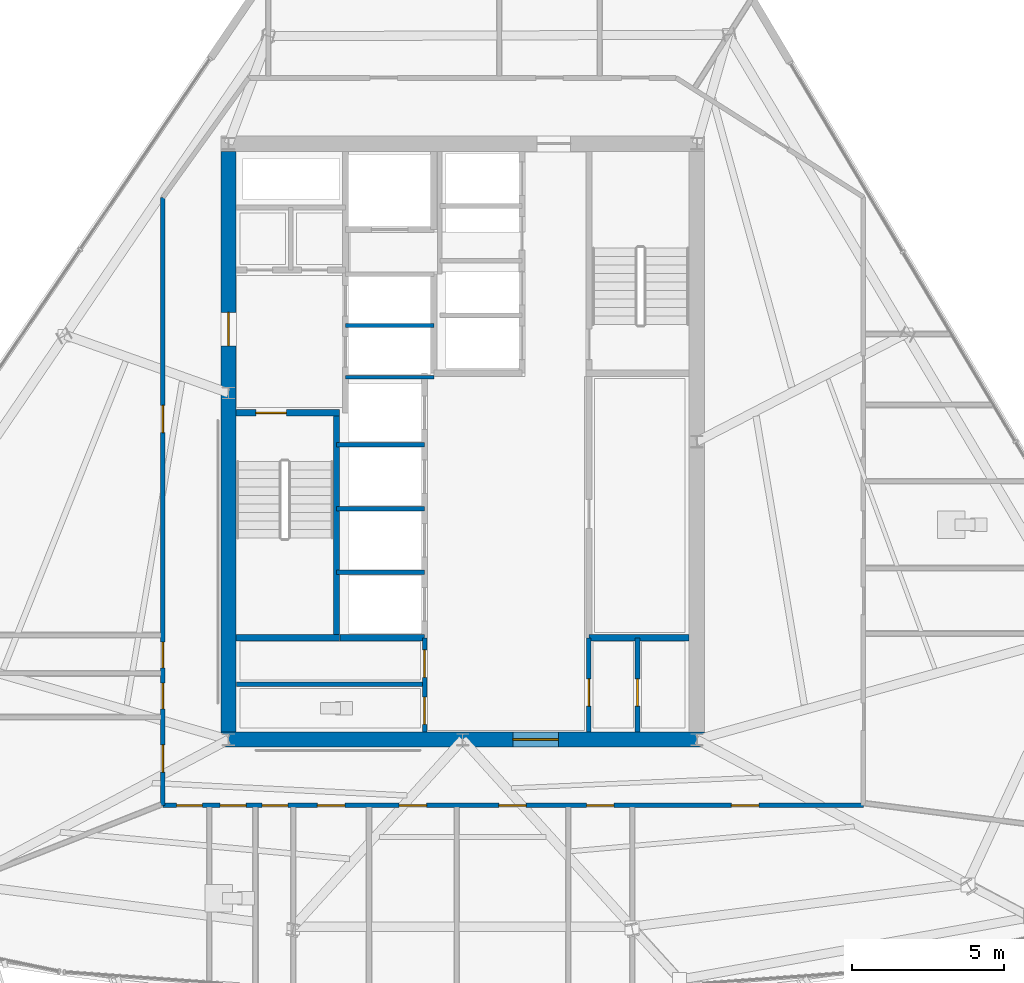
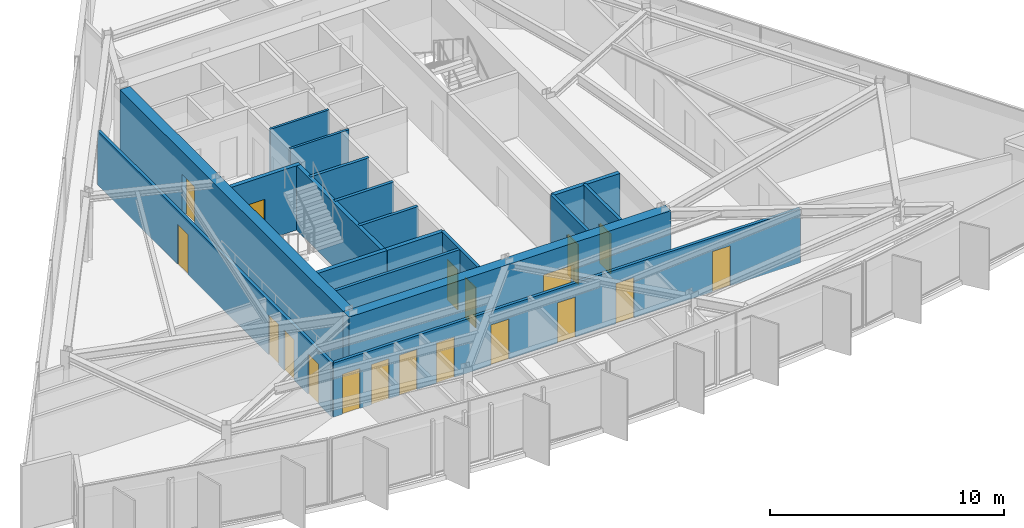
# One storey, part 8 of 15: 19 doors, 18 walls, 19 openings.
"""IFC4 building model written with IfcOpenShell, lengths in metres."""

from ifc_helpers import new_model, si_unit, direction, frame, frame_2d, origin, place, context, subcontext, project, spatial, rectangle, extrude, material, layer, layer_set, type_object, element, fill, save


model = new_model("IFC4")

# Units and contexts
model_context = context("Model", 3, precision=1e-05, world=origin(), true_north=direction((0.0, 1.0)))
body_context = subcontext(model_context, "Body", "Model", "MODEL_VIEW")
ifc_project = project(units=[si_unit("LENGTHUNIT", "METRE"), si_unit("AREAUNIT", "SQUARE_METRE"), si_unit("VOLUMEUNIT", "CUBIC_METRE"), si_unit("PLANEANGLEUNIT", "RADIAN"), si_unit("MASSUNIT", "GRAM", prefix="KILO")], contexts=[model_context])

# Site, building, storey
site_placement = place(None, origin())
site = spatial("IfcSite", under=ifc_project, at=site_placement, CompositionType="ELEMENT")
building_placement = place(site_placement, origin())
building = spatial("IfcBuilding", under=site, at=building_placement, Name="Savorim Split Tower", CompositionType="ELEMENT")
storey_placement = place(building_placement, frame((0.0, 0.0, 212.699951171875)))
storey = spatial("IfcBuildingStorey", under=building, at=storey_placement, Name="L56", CompositionType="ELEMENT", Elevation=212.699951171875)

# Wall, opening, door
ifc_material_1 = material(Name="Concrete C60/75", Category="concrete")
ifc_layer_1 = layer(ifc_material_1, 0.5)
ifc_layer_set_1 = layer_set([ifc_layer_1], Name="WAL-COR-SH500")
wall_type_1 = type_object("IfcWallType", Name="WAL-COR-SH500", PredefinedType="SHEAR", material=ifc_layer_set_1)
wall_1_placement = place(storey_placement, frame((-7.949951171875, -9.39990234375, 0.0), z_axis=(0.0, 0.0, 1.0), x_axis=(1.0, 0.0, 0.0)))
wall_1 = element("IfcWall", 1, at=wall_1_placement, inside=storey, type_object=wall_type_1, Name="L56 Offset Core South Shear Wall", PredefinedType="SHEAR", context=body_context, shape_type="SweptSolid", body=[
    extrude(rectangle(XDim=15.89990234375, YDim=0.5, at=frame_2d((7.949951171875, 0.0))), origin(), (0.0, 0.0, 1.0), 3.35009765625),
])
opening_1_placement = place(wall_1_placement, frame((9.60009765625, 0.0, 0.0)))
opening_1 = element("IfcOpeningElement", 2, at=opening_1_placement, cuts=wall_1, Name="Opening DI-02", PredefinedType="OPENING", context=body_context, shape_type="SweptSolid", body=[
    extrude(rectangle(XDim=1.5, YDim=2.199951171875, at=frame_2d((0.75, 1.10009765625))), frame((0.0, 0.260009765625, 0.0), z_axis=(0.0, -1.0, 0.0), x_axis=(1.0, 0.0, 0.0)), (0.0, 0.0, 1.0), 0.52001953125),
])
ifc_material_2 = material(Name="Timber Fire Door Leaf", Category="wood")
door_type_1 = type_object("IfcDoorType", Name="DOR-DBL-1500", OperationType="NOTDEFINED", PredefinedType="DOOR", material=ifc_material_2)
door_1_placement = place(opening_1_placement, origin())
door_1 = element("IfcDoor", 3, at=door_1_placement, inside=storey, type_object=door_type_1, Name="DOR-L56-COR-LLOB - L56 Lift Lobby Main Rated Door", OperationType="DOUBLE_DOOR_SINGLE_SWING", OverallHeight=2.199951171875, OverallWidth=1.5, PredefinedType="DOOR", context=body_context, shape_type="SweptSolid", body=[
    extrude(rectangle(XDim=1.5, YDim=2.199951171875, at=frame_2d((0.75, 1.10009765625))), frame((0.0, 0.02490234375, 0.0), z_axis=(0.0, -1.0, 0.0), x_axis=(1.0, 0.0, 0.0)), (0.0, 0.0, 1.0), 0.050048828125),
])
fill(opening_1, door_1)

wall_2_placement = place(storey_placement, frame((-7.699951171875, -9.14990234375, 0.0), z_axis=(0.0, 0.0, 1.0), x_axis=(0.0, 1.0, 0.0)))
wall_2 = element("IfcWall", 4, at=wall_2_placement, inside=storey, type_object=wall_type_1, Name="L56 Offset Core West Shear Wall", PredefinedType="SHEAR", context=body_context, shape_type="SweptSolid", body=[
    extrude(rectangle(XDim=19.099853515625, YDim=0.5, at=frame_2d((9.5498046875, 0.0))), origin(), (0.0, 0.0, 1.0), 3.35009765625),
])
opening_2_placement = place(wall_2_placement, frame((12.699951171875, 0.0, 0.0)))
opening_2 = element("IfcOpeningElement", 5, at=opening_2_placement, cuts=wall_2, Name="Opening DI-03", PredefinedType="OPENING", context=body_context, shape_type="SweptSolid", body=[
    extrude(rectangle(XDim=1.10009765625, YDim=2.14990234375, at=frame_2d((0.550048828125, 1.074951171875))), frame((0.0, 0.260009765625, 0.0), z_axis=(0.0, -1.0, 0.0), x_axis=(1.0, 0.0, 0.0)), (0.0, 0.0, 1.0), 0.52001953125),
])
door_type_2 = type_object("IfcDoorType", Name="DOR-FIR-1100", OperationType="NOTDEFINED", PredefinedType="DOOR", material=ifc_material_2)
door_2_placement = place(opening_2_placement, origin())
door_2 = element("IfcDoor", 6, at=door_2_placement, inside=storey, type_object=door_type_2, Name="DOR-L56-COR-FFLOB - L56 Firefighting Lobby Corridor Door", OperationType="SINGLE_SWING_RIGHT", OverallHeight=2.14990234375, OverallWidth=1.10009765625, PredefinedType="DOOR", context=body_context, shape_type="SweptSolid", body=[
    extrude(rectangle(XDim=1.10009765625, YDim=2.14990234375, at=frame_2d((0.550048828125, 1.074951171875))), frame((0.0, 0.02490234375, 0.0), z_axis=(0.0, -1.0, 0.0), x_axis=(1.0, 0.0, 0.0)), (0.0, 0.0, 1.0), 0.050048828125),
])
fill(opening_2, door_2)

ifc_material_3 = material(Name="Concrete C50/60", Category="concrete")
ifc_layer_2 = layer(ifc_material_3, 0.199951171875)
ifc_layer_set_2 = layer_set([ifc_layer_2], Name="WAL-INT-RC200")
wall_type_2 = type_object("IfcWallType", Name="WAL-INT-RC200", PredefinedType="SOLIDWALL", material=ifc_layer_set_2)
wall_3_placement = place(storey_placement, frame((-7.449951171875, 1.35009765625, 0.0), z_axis=(0.0, 0.0, 1.0), x_axis=(1.0, 0.0, 0.0)))
wall_3 = element("IfcWall", 7, at=wall_3_placement, inside=storey, type_object=wall_type_2, Name="L56 Structural Shaft Wall W-L56-CR01", PredefinedType="SOLIDWALL", context=body_context, shape_type="SweptSolid", body=[
    extrude(rectangle(XDim=3.39990234375, YDim=0.199951171875, at=frame_2d((1.699951171875, 0.0))), origin(), (0.0, 0.0, 1.0), 3.35009765625),
])
opening_3_placement = place(wall_3_placement, frame((0.64990234375, 0.0, 0.0)))
opening_3 = element("IfcOpeningElement", 8, at=opening_3_placement, cuts=wall_3, Name="Opening DI-04", PredefinedType="OPENING", context=body_context, shape_type="SweptSolid", body=[
    extrude(rectangle(XDim=1.0, YDim=2.14990234375, at=frame_2d((0.5, 1.074951171875))), frame((0.0, 0.10986328125, 0.0), z_axis=(0.0, -1.0, 0.0), x_axis=(1.0, 0.0, 0.0)), (0.0, 0.0, 1.0), 0.219970703125),
])
door_type_3 = type_object("IfcDoorType", Name="DOR-FIR-1000", OperationType="NOTDEFINED", PredefinedType="DOOR", material=ifc_material_2)
door_3_placement = place(opening_3_placement, origin())
door_3 = element("IfcDoor", 9, at=door_3_placement, inside=storey, type_object=door_type_3, Name="DR-L56-ST1 - L56 Stair ST-1 Enclosure Door", OperationType="SINGLE_SWING_LEFT", OverallHeight=2.14990234375, OverallWidth=1.0, PredefinedType="DOOR", context=body_context, shape_type="SweptSolid", body=[
    extrude(rectangle(XDim=1.0, YDim=2.14990234375, at=frame_2d((0.5, 1.074951171875))), frame((0.0, 0.02490234375, 0.0), z_axis=(0.0, -1.0, 0.0), x_axis=(1.0, 0.0, 0.0)), (0.0, 0.0, 1.0), 0.050048828125),
])
fill(opening_3, door_3)

# Walls
wall_4_placement = place(storey_placement, frame((-4.14990234375, -5.949951171875, 0.0), z_axis=(0.0, 0.0, 1.0), x_axis=(0.0, 1.0, 0.0)))
element("IfcWall", 10, at=wall_4_placement, inside=storey, type_object=wall_type_2, Name="L56 Structural Shaft Wall W-L56-CR02", PredefinedType="SOLIDWALL", context=body_context, shape_type="SweptSolid", body=[
    extrude(rectangle(XDim=7.199951171875, YDim=0.199951171875, at=frame_2d((3.60009765625, 0.0))), origin(), (0.0, 0.0, 1.0), 3.35009765625),
])
wall_5_placement = place(storey_placement, frame((-7.449951171875, -6.050048828125, 0.0), z_axis=(0.0, 0.0, 1.0), x_axis=(1.0, 0.0, 0.0)))
element("IfcWall", 11, at=wall_5_placement, inside=storey, type_object=wall_type_2, Name="L56 Structural Shaft Wall W-L56-KSEP-W", PredefinedType="SOLIDWALL", context=body_context, shape_type="SweptSolid", body=[
    extrude(rectangle(XDim=3.39990234375, YDim=0.199951171875, at=frame_2d((1.699951171875, 0.0))), origin(), (0.0, 0.0, 1.0), 3.35009765625),
])
wall_6_placement = place(storey_placement, frame((-4.0400390625, -6.050048828125, 0.0), z_axis=(0.0, 0.0, 1.0), x_axis=(1.0, 0.0, 0.0)))
element("IfcWall", 12, at=wall_6_placement, inside=storey, type_object=wall_type_2, Name="L56 Partition W-L56-KSEP-W2", PredefinedType="SOLIDWALL", context=body_context, shape_type="SweptSolid", body=[
    extrude(rectangle(XDim=2.7900390625, YDim=0.199951171875, at=frame_2d((1.39501953125, 0.0))), origin(), (0.0, 0.0, 1.0), 3.35009765625),
])
wall_7_placement = place(storey_placement, frame((4.14990234375, -6.050048828125, 0.0), z_axis=(0.0, 0.0, 1.0), x_axis=(1.0, 0.0, 0.0)))
element("IfcWall", 13, at=wall_7_placement, inside=storey, type_object=wall_type_2, Name="L56 Partition W-L56-KSEP-E", PredefinedType="SOLIDWALL", context=body_context, shape_type="SweptSolid", body=[
    extrude(rectangle(XDim=3.295166015625, YDim=0.199951171875, at=frame_2d((1.6474609375, 0.0))), origin(), (0.0, 0.0, 1.0), 3.35009765625),
])
ifc_material_4 = material(Name="Acoustic Gypsum Partition Board")
ifc_layer_3 = layer(ifc_material_4, 0.1201171875)
ifc_layer_set_3 = layer_set([ifc_layer_3], Name="WAL-PAR-120")
wall_type_3 = type_object("IfcWallType", Name="WAL-PAR-120", PredefinedType="PARTITIONING", material=ifc_layer_set_3)
for number, where, z_axis, x_axis, name in (
    (14, (-3.85009765625, 2.52001953125, 0.0), (0.0, 0.0, 1.0), (1.0, 0.0, 0.0), "L56 Partition W-L56-FFLD0"),
    (15, (-3.85009765625, 4.219970703125, 0.0), (0.0, 0.0, 1.0), (1.0, 0.0, 0.0), "L56 Partition W-L56-FFLD1"),
):
    element("IfcWall", number, at=place(storey_placement, frame(where, z_axis=z_axis, x_axis=x_axis)), inside=storey, type_object=wall_type_3, Name=name, PredefinedType="PARTITIONING", context=body_context, shape_type="SweptSolid", body=[
        extrude(rectangle(XDim=2.900146484375, YDim=0.1201171875, at=frame_2d((1.4501953125, 0.0))), origin(), (0.0, 0.0, 1.0), 3.35009765625),
    ])
ifc_layer_4 = layer(ifc_material_4, 0.14990234375)
ifc_layer_set_4 = layer_set([ifc_layer_4], Name="WAL-PAR-150")
wall_type_4 = type_object("IfcWallType", Name="WAL-PAR-150", PredefinedType="PARTITIONING", material=ifc_layer_set_4)
for number, where, z_axis, x_axis, name in (
    (16, (-4.14990234375, -3.89990234375, 0.0), (0.0, 0.0, 1.0), (1.0, 0.0, 0.0), "L56 Partition W-L56-B2DIV1"),
    (17, (-4.14990234375, -1.800048828125, 0.0), (0.0, 0.0, 1.0), (1.0, 0.0, 0.0), "L56 Partition W-L56-B2DIV2"),
    (18, (-4.14990234375, 0.300048828125, 0.0), (0.0, 0.0, 1.0), (1.0, 0.0, 0.0), "L56 Partition W-L56-B2DIV3"),
):
    element("IfcWall", number, at=place(storey_placement, frame(where, z_axis=z_axis, x_axis=x_axis)), inside=storey, type_object=wall_type_4, Name=name, PredefinedType="PARTITIONING", context=body_context, shape_type="SweptSolid", body=[
        extrude(rectangle(XDim=2.89990234375, YDim=0.14990234375, at=frame_2d((1.449951171875, 0.0))), origin(), (0.0, 0.0, 1.0), 3.35009765625),
    ])

# Wall, openings, doors
wall_8_placement = place(storey_placement, frame((-1.25, -9.14501953125, 0.0), z_axis=(0.0, 0.0, 1.0), x_axis=(0.0, 1.0, 0.0)))
wall_8 = element("IfcWall", 19, at=wall_8_placement, inside=storey, type_object=wall_type_4, Name="L56 Partition W-L56-KLOB-W", PredefinedType="PARTITIONING", context=body_context, shape_type="SweptSolid", body=[
    extrude(rectangle(XDim=3.094970703125, YDim=0.14990234375, at=frame_2d((1.54736328125, 0.0))), origin(), (0.0, 0.0, 1.0), 3.35009765625),
])
opening_4_placement = place(wall_8_placement, frame((1.794921875, 0.0, 0.0)))
opening_4 = element("IfcOpeningElement", 20, at=opening_4_placement, cuts=wall_8, Name="Opening DI-06", PredefinedType="OPENING", context=body_context, shape_type="SweptSolid", body=[
    extrude(rectangle(XDim=0.89990234375, YDim=2.10009765625, at=frame_2d((0.449951171875, 1.050048828125))), frame((0.0, 0.0849609375, 0.0), z_axis=(0.0, -1.0, 0.0), x_axis=(1.0, 0.0, 0.0)), (0.0, 0.0, 1.0), 0.169921875),
])
opening_5_placement = place(wall_8_placement, frame((0.2451171875, 0.0, 0.0)))
opening_5 = element("IfcOpeningElement", 21, at=opening_5_placement, cuts=wall_8, Name="Opening DI-11", PredefinedType="OPENING", context=body_context, shape_type="SweptSolid", body=[
    extrude(rectangle(XDim=0.89990234375, YDim=2.10009765625, at=frame_2d((0.449951171875, 1.050048828125))), frame((0.0, 0.0849609375, 0.0), z_axis=(0.0, -1.0, 0.0), x_axis=(1.0, 0.0, 0.0)), (0.0, 0.0, 1.0), 0.169921875),
])
door_type_4 = type_object("IfcDoorType", Name="DOR-FIR-900", OperationType="NOTDEFINED", PredefinedType="DOOR", material=ifc_material_2)
door_4_placement = place(opening_4_placement, origin())
door_4 = element("IfcDoor", 22, at=door_4_placement, inside=storey, type_object=door_type_4, Name="DR-L56-K2CLN - L56 Cleaning Store Door", OperationType="SINGLE_SWING_LEFT", OverallHeight=2.10009765625, OverallWidth=0.89990234375, PredefinedType="DOOR", context=body_context, shape_type="SweptSolid", body=[
    extrude(rectangle(XDim=0.89990234375, YDim=2.10009765625, at=frame_2d((0.449951171875, 1.050048828125))), frame((0.0, 0.02490234375, 0.0), z_axis=(0.0, -1.0, 0.0), x_axis=(1.0, 0.0, 0.0)), (0.0, 0.0, 1.0), 0.050048828125),
])
fill(opening_4, door_4)
ifc_material_5 = material(Name="Oak Veneer Acoustic Door")
door_type_5 = type_object("IfcDoorType", Name="DOR-WC-900", OperationType="NOTDEFINED", PredefinedType="DOOR", material=ifc_material_5)
door_5_placement = place(opening_5_placement, origin())
door_5 = element("IfcDoor", 23, at=door_5_placement, inside=storey, type_object=door_type_5, Name="DR-L56-K2WC - L56 Core WC Door", OperationType="SINGLE_SWING_RIGHT", OverallHeight=2.10009765625, OverallWidth=0.89990234375, PredefinedType="DOOR", context=body_context, shape_type="SweptSolid", body=[
    extrude(rectangle(XDim=0.89990234375, YDim=2.10009765625, at=frame_2d((0.449951171875, 1.050048828125))), frame((0.0, 0.02490234375, 0.0), z_axis=(0.0, -1.0, 0.0), x_axis=(1.0, 0.0, 0.0)), (0.0, 0.0, 1.0), 0.050048828125),
])
fill(opening_5, door_5)

# Wall, opening, door
wall_9_placement = place(storey_placement, frame((4.14990234375, -9.14501953125, 0.0), z_axis=(0.0, 0.0, 1.0), x_axis=(0.0, 1.0, 0.0)))
wall_9 = element("IfcWall", 24, at=wall_9_placement, inside=storey, type_object=wall_type_4, Name="L56 Partition W-L56-KLOB-E", PredefinedType="PARTITIONING", context=body_context, shape_type="SweptSolid", body=[
    extrude(rectangle(XDim=3.094970703125, YDim=0.14990234375, at=frame_2d((1.54736328125, 0.0))), origin(), (0.0, 0.0, 1.0), 3.35009765625),
])
opening_6_placement = place(wall_9_placement, frame((0.844970703125, 0.0, 0.0)))
opening_6 = element("IfcOpeningElement", 25, at=opening_6_placement, cuts=wall_9, Name="Opening DI-06", PredefinedType="OPENING", context=body_context, shape_type="SweptSolid", body=[
    extrude(rectangle(XDim=0.89990234375, YDim=2.10009765625, at=frame_2d((0.449951171875, 1.050048828125))), frame((0.0, 0.0849609375, 0.0), z_axis=(0.0, -1.0, 0.0), x_axis=(1.0, 0.0, 0.0)), (0.0, 0.0, 1.0), 0.169921875),
])
door_6_placement = place(opening_6_placement, origin())
door_6 = element("IfcDoor", 26, at=door_6_placement, inside=storey, type_object=door_type_4, Name="DR-L56-K2PAN - L56 Vending Pantry Door", OperationType="SINGLE_SWING_LEFT", OverallHeight=2.10009765625, OverallWidth=0.89990234375, PredefinedType="DOOR", context=body_context, shape_type="SweptSolid", body=[
    extrude(rectangle(XDim=0.89990234375, YDim=2.10009765625, at=frame_2d((0.449951171875, 1.050048828125))), frame((0.0, 0.02490234375, 0.0), z_axis=(0.0, -1.0, 0.0), x_axis=(1.0, 0.0, 0.0)), (0.0, 0.0, 1.0), 0.050048828125),
])
fill(opening_6, door_6)

# Wall
wall_10_placement = place(storey_placement, frame((-7.445068359375, -7.580078125, 0.0), z_axis=(0.0, 0.0, 1.0), x_axis=(1.0, 0.0, 0.0)))
element("IfcWall", 27, at=wall_10_placement, inside=storey, type_object=wall_type_4, Name="L56 Partition W-L56-K2H", PredefinedType="PARTITIONING", context=body_context, shape_type="SweptSolid", body=[
    extrude(rectangle(XDim=6.195068359375, YDim=0.14990234375, at=frame_2d((3.09765625, 0.0))), origin(), (0.0, 0.0, 1.0), 3.35009765625),
])

# Wall, opening, door
wall_11_placement = place(storey_placement, frame((5.75, -9.14501953125, 0.0), z_axis=(0.0, 0.0, 1.0), x_axis=(0.0, 1.0, 0.0)))
wall_11 = element("IfcWall", 28, at=wall_11_placement, inside=storey, type_object=wall_type_4, Name="L56 Partition W-L56-K2E", PredefinedType="PARTITIONING", context=body_context, shape_type="SweptSolid", body=[
    extrude(rectangle(XDim=3.094970703125, YDim=0.14990234375, at=frame_2d((1.54736328125, 0.0))), origin(), (0.0, 0.0, 1.0), 3.35009765625),
])
opening_7_placement = place(wall_11_placement, frame((0.844970703125, 0.0, 0.0)))
opening_7 = element("IfcOpeningElement", 29, at=opening_7_placement, cuts=wall_11, Name="Opening DI-06", PredefinedType="OPENING", context=body_context, shape_type="SweptSolid", body=[
    extrude(rectangle(XDim=0.89990234375, YDim=2.10009765625, at=frame_2d((0.449951171875, 1.050048828125))), frame((0.0, 0.0849609375, 0.0), z_axis=(0.0, -1.0, 0.0), x_axis=(1.0, 0.0, 0.0)), (0.0, 0.0, 1.0), 0.169921875),
])
door_7_placement = place(opening_7_placement, origin())
door_7 = element("IfcDoor", 30, at=door_7_placement, inside=storey, type_object=door_type_4, Name="DR-L56-K2REF - L56 Recycling Room Door", OperationType="SINGLE_SWING_RIGHT", OverallHeight=2.10009765625, OverallWidth=0.89990234375, PredefinedType="DOOR", context=body_context, shape_type="SweptSolid", body=[
    extrude(rectangle(XDim=0.89990234375, YDim=2.10009765625, at=frame_2d((0.449951171875, 1.050048828125))), frame((0.0, 0.02490234375, 0.0), z_axis=(0.0, -1.0, 0.0), x_axis=(1.0, 0.0, 0.0)), (0.0, 0.0, 1.0), 0.050048828125),
])
fill(opening_7, door_7)

# Wall, openings, doors
wall_12_placement = place(storey_placement, frame((-9.860107421875, -11.56005859375, 0.0), z_axis=(0.0, 0.0, 1.0), x_axis=(0.0, 1.0, 0.0)))
wall_12 = element("IfcWall", 31, at=wall_12_placement, inside=storey, type_object=wall_type_4, Name="L56 Partition W-L56-COR-01", PredefinedType="PARTITIONING", context=body_context, shape_type="SweptSolid", body=[
    extrude(rectangle(XDim=19.98583984375, YDim=0.14990234375, at=frame_2d((9.992919921875, 0.0))), origin(), (0.0, 0.0, 1.0), 2.824951171875),
])
opening_8_placement = place(wall_12_placement, frame((4.517822265625, 0.0, 0.0)))
opening_8 = element("IfcOpeningElement", 32, at=opening_8_placement, cuts=wall_12, Name="Opening DI-13", PredefinedType="OPENING", context=body_context, shape_type="SweptSolid", body=[
    extrude(rectangle(XDim=0.85009765625, YDim=2.10009765625, at=frame_2d((0.425048828125, 1.050048828125))), frame((0.0, 0.0849609375, 0.0), z_axis=(0.0, -1.0, 0.0), x_axis=(1.0, 0.0, 0.0)), (0.0, 0.0, 1.0), 0.169921875),
])
opening_9_placement = place(wall_12_placement, frame((3.169677734375, 0.0, 0.0)))
opening_9 = element("IfcOpeningElement", 33, at=opening_9_placement, cuts=wall_12, Name="Opening DI-13", PredefinedType="OPENING", context=body_context, shape_type="SweptSolid", body=[
    extrude(rectangle(XDim=0.85009765625, YDim=2.10009765625, at=frame_2d((0.425048828125, 1.050048828125))), frame((0.0, 0.0849609375, 0.0), z_axis=(0.0, -1.0, 0.0), x_axis=(1.0, 0.0, 0.0)), (0.0, 0.0, 1.0), 0.169921875),
])
opening_10_placement = place(wall_12_placement, frame((1.08984375, 0.0, 0.0)))
opening_10 = element("IfcOpeningElement", 34, at=opening_10_placement, cuts=wall_12, Name="Opening DI-06", PredefinedType="OPENING", context=body_context, shape_type="SweptSolid", body=[
    extrude(rectangle(XDim=0.89990234375, YDim=2.10009765625, at=frame_2d((0.449951171875, 1.050048828125))), frame((0.0, 0.0849609375, 0.0), z_axis=(0.0, -1.0, 0.0), x_axis=(1.0, 0.0, 0.0)), (0.0, 0.0, 1.0), 0.169921875),
])
opening_11_placement = place(wall_12_placement, frame((12.252685546875, 0.0, 0.0)))
opening_11 = element("IfcOpeningElement", 35, at=opening_11_placement, cuts=wall_12, Name="Opening DI-06", PredefinedType="OPENING", context=body_context, shape_type="SweptSolid", body=[
    extrude(rectangle(XDim=0.89990234375, YDim=2.10009765625, at=frame_2d((0.449951171875, 1.050048828125))), frame((0.0, 0.0849609375, 0.0), z_axis=(0.0, -1.0, 0.0), x_axis=(1.0, 0.0, 0.0)), (0.0, 0.0, 1.0), 0.169921875),
])
door_type_6 = type_object("IfcDoorType", Name="DOR-FIR-850", OperationType="NOTDEFINED", PredefinedType="DOOR", material=ifc_material_2)
door_8_placement = place(opening_8_placement, origin())
door_8 = element("IfcDoor", 36, at=door_8_placement, inside=storey, type_object=door_type_6, Name="DR-L56-RM01 - L56 Shared Kitchen Entry Door", OperationType="SINGLE_SWING_RIGHT", OverallHeight=2.10009765625, OverallWidth=0.85009765625, PredefinedType="DOOR", context=body_context, shape_type="SweptSolid", body=[
    extrude(rectangle(XDim=0.85009765625, YDim=2.10009765625, at=frame_2d((0.425048828125, 1.050048828125))), frame((0.0, 0.02490234375, 0.0), z_axis=(0.0, -1.0, 0.0), x_axis=(1.0, 0.0, 0.0)), (0.0, 0.0, 1.0), 0.050048828125),
])
fill(opening_8, door_8)
door_9_placement = place(opening_9_placement, origin())
door_9 = element("IfcDoor", 37, at=door_9_placement, inside=storey, type_object=door_type_6, Name="DR-L56-RM02 - L56 Quiet Study Room Entry Door", OperationType="SINGLE_SWING_LEFT", OverallHeight=2.10009765625, OverallWidth=0.85009765625, PredefinedType="DOOR", context=body_context, shape_type="SweptSolid", body=[
    extrude(rectangle(XDim=0.85009765625, YDim=2.10009765625, at=frame_2d((0.425048828125, 1.050048828125))), frame((0.0, 0.02490234375, 0.0), z_axis=(0.0, -1.0, 0.0), x_axis=(1.0, 0.0, 0.0)), (0.0, 0.0, 1.0), 0.050048828125),
])
fill(opening_9, door_9)
door_10_placement = place(opening_10_placement, origin())
door_10 = element("IfcDoor", 38, at=door_10_placement, inside=storey, type_object=door_type_4, Name="DR-L56-RM03 - L56 Co-Working Commons Entry Door", OperationType="SINGLE_SWING_RIGHT", OverallHeight=2.10009765625, OverallWidth=0.89990234375, PredefinedType="DOOR", context=body_context, shape_type="SweptSolid", body=[
    extrude(rectangle(XDim=0.89990234375, YDim=2.10009765625, at=frame_2d((0.449951171875, 1.050048828125))), frame((0.0, 0.02490234375, 0.0), z_axis=(0.0, -1.0, 0.0), x_axis=(1.0, 0.0, 0.0)), (0.0, 0.0, 1.0), 0.050048828125),
])
fill(opening_10, door_10)
door_11_placement = place(opening_11_placement, origin())
door_11 = element("IfcDoor", 39, at=door_11_placement, inside=storey, type_object=door_type_4, Name="DR-L56-RM21 - L56 Co-Working Commons Entry Door", OperationType="SINGLE_SWING_RIGHT", OverallHeight=2.10009765625, OverallWidth=0.89990234375, PredefinedType="DOOR", context=body_context, shape_type="SweptSolid", body=[
    extrude(rectangle(XDim=0.89990234375, YDim=2.10009765625, at=frame_2d((0.449951171875, 1.050048828125))), frame((0.0, 0.02490234375, 0.0), z_axis=(0.0, -1.0, 0.0), x_axis=(1.0, 0.0, 0.0)), (0.0, 0.0, 1.0), 0.050048828125),
])
fill(opening_11, door_11)

wall_13_placement = place(storey_placement, frame((13.179931640625, -11.56005859375, 0.0), z_axis=(0.0, 0.0, 1.0), x_axis=(-1.0, 0.0, 0.0)))
wall_13 = element("IfcWall", 40, at=wall_13_placement, inside=storey, type_object=wall_type_4, Name="L56 Partition W-L56-COR-06", PredefinedType="PARTITIONING", context=body_context, shape_type="SweptSolid", body=[
    extrude(rectangle(XDim=23.0400390625, YDim=0.14990234375, at=frame_2d((11.52001953125, 0.0))), origin(), (0.0, 0.0, 1.0), 2.824951171875),
])
opening_12_placement = place(wall_13_placement, frame((21.736328125, 0.0, 0.0)))
opening_12 = element("IfcOpeningElement", 41, at=opening_12_placement, cuts=wall_13, Name="Opening DI-13", PredefinedType="OPENING", context=body_context, shape_type="SweptSolid", body=[
    extrude(rectangle(XDim=0.85009765625, YDim=2.10009765625, at=frame_2d((0.425048828125, 1.050048828125))), frame((0.0, 0.0849609375, 0.0), z_axis=(0.0, -1.0, 0.0), x_axis=(1.0, 0.0, 0.0)), (0.0, 0.0, 1.0), 0.169921875),
])
opening_13_placement = place(wall_13_placement, frame((20.30419921875, 0.0, 0.0)))
opening_13 = element("IfcOpeningElement", 42, at=opening_13_placement, cuts=wall_13, Name="Opening DI-13", PredefinedType="OPENING", context=body_context, shape_type="SweptSolid", body=[
    extrude(rectangle(XDim=0.85009765625, YDim=2.10009765625, at=frame_2d((0.425048828125, 1.050048828125))), frame((0.0, 0.0849609375, 0.0), z_axis=(0.0, -1.0, 0.0), x_axis=(1.0, 0.0, 0.0)), (0.0, 0.0, 1.0), 0.169921875),
])
opening_14_placement = place(wall_13_placement, frame((18.926025390625, 0.0, 0.0)))
opening_14 = element("IfcOpeningElement", 43, at=opening_14_placement, cuts=wall_13, Name="Opening DI-13", PredefinedType="OPENING", context=body_context, shape_type="SweptSolid", body=[
    extrude(rectangle(XDim=0.85009765625, YDim=2.10009765625, at=frame_2d((0.425048828125, 1.050048828125))), frame((0.0, 0.0849609375, 0.0), z_axis=(0.0, -1.0, 0.0), x_axis=(1.0, 0.0, 0.0)), (0.0, 0.0, 1.0), 0.169921875),
])
opening_15_placement = place(wall_13_placement, frame((17.05712890625, 0.0, 0.0)))
opening_15 = element("IfcOpeningElement", 44, at=opening_15_placement, cuts=wall_13, Name="Opening DI-06", PredefinedType="OPENING", context=body_context, shape_type="SweptSolid", body=[
    extrude(rectangle(XDim=0.89990234375, YDim=2.10009765625, at=frame_2d((0.449951171875, 1.050048828125))), frame((0.0, 0.0849609375, 0.0), z_axis=(0.0, -1.0, 0.0), x_axis=(1.0, 0.0, 0.0)), (0.0, 0.0, 1.0), 0.169921875),
])
opening_16_placement = place(wall_13_placement, frame((14.367431640625, 0.0, 0.0)))
opening_16 = element("IfcOpeningElement", 45, at=opening_16_placement, cuts=wall_13, Name="Opening DI-06", PredefinedType="OPENING", context=body_context, shape_type="SweptSolid", body=[
    extrude(rectangle(XDim=0.89990234375, YDim=2.10009765625, at=frame_2d((0.449951171875, 1.050048828125))), frame((0.0, 0.0849609375, 0.0), z_axis=(0.0, -1.0, 0.0), x_axis=(1.0, 0.0, 0.0)), (0.0, 0.0, 1.0), 0.169921875),
])
opening_17_placement = place(wall_13_placement, frame((11.090087890625, 0.0, 0.0)))
opening_17 = element("IfcOpeningElement", 46, at=opening_17_placement, cuts=wall_13, Name="Opening DI-06", PredefinedType="OPENING", context=body_context, shape_type="SweptSolid", body=[
    extrude(rectangle(XDim=0.89990234375, YDim=2.10009765625, at=frame_2d((0.449951171875, 1.050048828125))), frame((0.0, 0.0849609375, 0.0), z_axis=(0.0, -1.0, 0.0), x_axis=(1.0, 0.0, 0.0)), (0.0, 0.0, 1.0), 0.169921875),
])
opening_18_placement = place(wall_13_placement, frame((8.205322265625, 0.0, 0.0)))
opening_18 = element("IfcOpeningElement", 47, at=opening_18_placement, cuts=wall_13, Name="Opening DI-06", PredefinedType="OPENING", context=body_context, shape_type="SweptSolid", body=[
    extrude(rectangle(XDim=0.89990234375, YDim=2.10009765625, at=frame_2d((0.449951171875, 1.050048828125))), frame((0.0, 0.0849609375, 0.0), z_axis=(0.0, -1.0, 0.0), x_axis=(1.0, 0.0, 0.0)), (0.0, 0.0, 1.0), 0.169921875),
])
opening_19_placement = place(wall_13_placement, frame((3.44189453125, 0.0, 0.0)))
opening_19 = element("IfcOpeningElement", 48, at=opening_19_placement, cuts=wall_13, Name="Opening DI-06", PredefinedType="OPENING", context=body_context, shape_type="SweptSolid", body=[
    extrude(rectangle(XDim=0.89990234375, YDim=2.10009765625, at=frame_2d((0.449951171875, 1.050048828125))), frame((0.0, 0.0849609375, 0.0), z_axis=(0.0, -1.0, 0.0), x_axis=(1.0, 0.0, 0.0)), (0.0, 0.0, 1.0), 0.169921875),
])
door_12_placement = place(opening_12_placement, origin())
door_12 = element("IfcDoor", 49, at=door_12_placement, inside=storey, type_object=door_type_6, Name="DR-L56-RM04 - L56 Co-Working Commons Entry Door", OperationType="SINGLE_SWING_LEFT", OverallHeight=2.10009765625, OverallWidth=0.85009765625, PredefinedType="DOOR", context=body_context, shape_type="SweptSolid", body=[
    extrude(rectangle(XDim=0.85009765625, YDim=2.10009765625, at=frame_2d((0.425048828125, 1.050048828125))), frame((0.0, 0.02490234375, 0.0), z_axis=(0.0, -1.0, 0.0), x_axis=(1.0, 0.0, 0.0)), (0.0, 0.0, 1.0), 0.050048828125),
])
fill(opening_12, door_12)
door_13_placement = place(opening_13_placement, origin())
door_13 = element("IfcDoor", 50, at=door_13_placement, inside=storey, type_object=door_type_6, Name="DR-L56-RM05 - L56 Shared Bathroom Entry Door", OperationType="SINGLE_SWING_RIGHT", OverallHeight=2.10009765625, OverallWidth=0.85009765625, PredefinedType="DOOR", context=body_context, shape_type="SweptSolid", body=[
    extrude(rectangle(XDim=0.85009765625, YDim=2.10009765625, at=frame_2d((0.425048828125, 1.050048828125))), frame((0.0, 0.02490234375, 0.0), z_axis=(0.0, -1.0, 0.0), x_axis=(1.0, 0.0, 0.0)), (0.0, 0.0, 1.0), 0.050048828125),
])
fill(opening_13, door_13)
door_14_placement = place(opening_14_placement, origin())
door_14 = element("IfcDoor", 51, at=door_14_placement, inside=storey, type_object=door_type_6, Name="DR-L56-RM06 - L56 Maker Workshop Entry Door", OperationType="SINGLE_SWING_LEFT", OverallHeight=2.10009765625, OverallWidth=0.85009765625, PredefinedType="DOOR", context=body_context, shape_type="SweptSolid", body=[
    extrude(rectangle(XDim=0.85009765625, YDim=2.10009765625, at=frame_2d((0.425048828125, 1.050048828125))), frame((0.0, 0.02490234375, 0.0), z_axis=(0.0, -1.0, 0.0), x_axis=(1.0, 0.0, 0.0)), (0.0, 0.0, 1.0), 0.050048828125),
])
fill(opening_14, door_14)
door_15_placement = place(opening_15_placement, origin())
door_15 = element("IfcDoor", 52, at=door_15_placement, inside=storey, type_object=door_type_4, Name="DR-L56-RM07 - L56 Co-Working Commons Entry Door", OperationType="SINGLE_SWING_RIGHT", OverallHeight=2.10009765625, OverallWidth=0.89990234375, PredefinedType="DOOR", context=body_context, shape_type="SweptSolid", body=[
    extrude(rectangle(XDim=0.89990234375, YDim=2.10009765625, at=frame_2d((0.449951171875, 1.050048828125))), frame((0.0, 0.02490234375, 0.0), z_axis=(0.0, -1.0, 0.0), x_axis=(1.0, 0.0, 0.0)), (0.0, 0.0, 1.0), 0.050048828125),
])
fill(opening_15, door_15)
door_16_placement = place(opening_16_placement, origin())
door_16 = element("IfcDoor", 53, at=door_16_placement, inside=storey, type_object=door_type_4, Name="DR-L56-RM08 - L56 Co-Working Commons Entry Door", OperationType="SINGLE_SWING_LEFT", OverallHeight=2.10009765625, OverallWidth=0.89990234375, PredefinedType="DOOR", context=body_context, shape_type="SweptSolid", body=[
    extrude(rectangle(XDim=0.89990234375, YDim=2.10009765625, at=frame_2d((0.449951171875, 1.050048828125))), frame((0.0, 0.02490234375, 0.0), z_axis=(0.0, -1.0, 0.0), x_axis=(1.0, 0.0, 0.0)), (0.0, 0.0, 1.0), 0.050048828125),
])
fill(opening_16, door_16)
door_17_placement = place(opening_17_placement, origin())
door_17 = element("IfcDoor", 54, at=door_17_placement, inside=storey, type_object=door_type_4, Name="DR-L56-RM09 - L56 Co-Working Commons Entry Door", OperationType="SINGLE_SWING_RIGHT", OverallHeight=2.10009765625, OverallWidth=0.89990234375, PredefinedType="DOOR", context=body_context, shape_type="SweptSolid", body=[
    extrude(rectangle(XDim=0.89990234375, YDim=2.10009765625, at=frame_2d((0.449951171875, 1.050048828125))), frame((0.0, 0.02490234375, 0.0), z_axis=(0.0, -1.0, 0.0), x_axis=(1.0, 0.0, 0.0)), (0.0, 0.0, 1.0), 0.050048828125),
])
fill(opening_17, door_17)
door_18_placement = place(opening_18_placement, origin())
door_18 = element("IfcDoor", 55, at=door_18_placement, inside=storey, type_object=door_type_4, Name="DR-L56-RM10 - L56 Co-Working Commons Entry Door", OperationType="SINGLE_SWING_LEFT", OverallHeight=2.10009765625, OverallWidth=0.89990234375, PredefinedType="DOOR", context=body_context, shape_type="SweptSolid", body=[
    extrude(rectangle(XDim=0.89990234375, YDim=2.10009765625, at=frame_2d((0.449951171875, 1.050048828125))), frame((0.0, 0.02490234375, 0.0), z_axis=(0.0, -1.0, 0.0), x_axis=(1.0, 0.0, 0.0)), (0.0, 0.0, 1.0), 0.050048828125),
])
fill(opening_18, door_18)
door_19_placement = place(opening_19_placement, origin())
door_19 = element("IfcDoor", 56, at=door_19_placement, inside=storey, type_object=door_type_4, Name="DR-L56-RM11 - L56 Co-Working Commons Entry Door", OperationType="SINGLE_SWING_RIGHT", OverallHeight=2.10009765625, OverallWidth=0.89990234375, PredefinedType="DOOR", context=body_context, shape_type="SweptSolid", body=[
    extrude(rectangle(XDim=0.89990234375, YDim=2.10009765625, at=frame_2d((0.449951171875, 1.050048828125))), frame((0.0, 0.02490234375, 0.0), z_axis=(0.0, -1.0, 0.0), x_axis=(1.0, 0.0, 0.0)), (0.0, 0.0, 1.0), 0.050048828125),
])
fill(opening_19, door_19)

save(model, "model.ifc")
